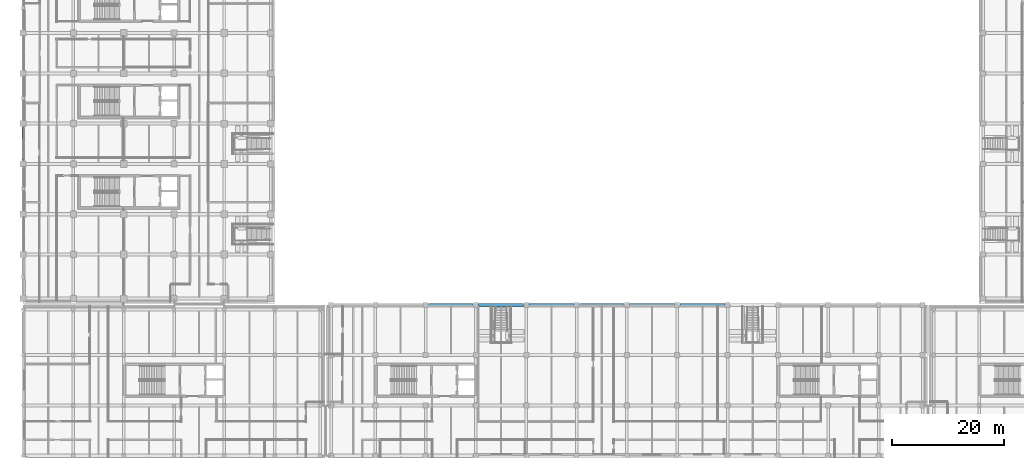
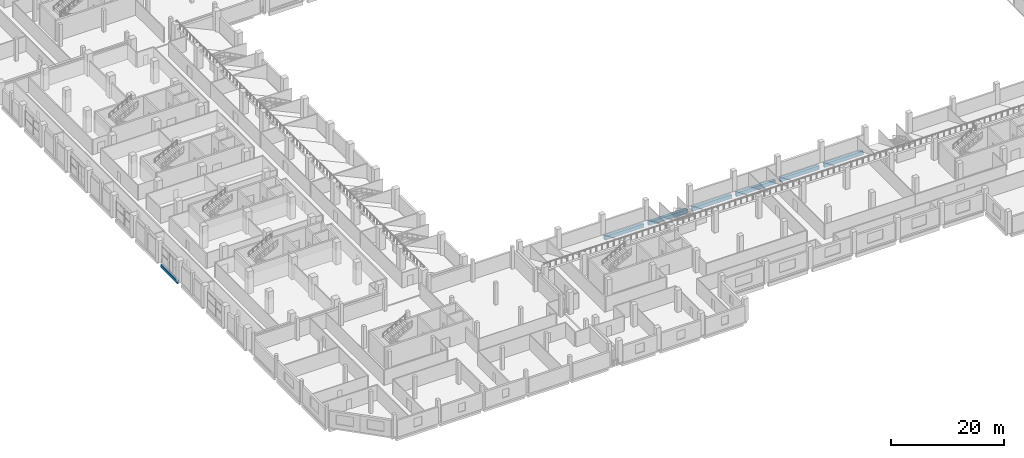
# One storey, part 11 of 100: 7 beams.
"""IFC4 building model written with IfcOpenShell, lengths in metres."""

from ifc_helpers import new_model, si_unit, direction, frame, origin, origin_2d, place, context, subcontext, project, spatial, rectangle, extrude, material, material_profile, profile_set, type_object, element, save


model = new_model("IFC4")

# Units and contexts
model_context = context("Model", 3, precision=1e-05, world=origin(), true_north=direction((0.0, 1.0)))
body_context = subcontext(model_context, "Body", "Model", "MODEL_VIEW")
ifc_project = project(units=[si_unit("LENGTHUNIT", "METRE"), si_unit("AREAUNIT", "SQUARE_METRE"), si_unit("VOLUMEUNIT", "CUBIC_METRE"), si_unit("PLANEANGLEUNIT", "RADIAN"), si_unit("MASSUNIT", "GRAM", prefix="KILO"), si_unit("THERMODYNAMICTEMPERATUREUNIT", "KELVIN"), si_unit("POWERUNIT", "WATT")], contexts=[model_context])

# Site, building, storey
site_placement = place(None, origin())
site = spatial("IfcSite", under=ifc_project, at=site_placement, CompositionType="ELEMENT")
building_placement = place(site_placement, origin())
building = spatial("IfcBuilding", under=site, at=building_placement, Name="Sindhuravela Promenade Stadium", CompositionType="ELEMENT")
storey_placement = place(building_placement, frame((0.0, 0.0, 4.800048828125)))
storey = spatial("IfcBuildingStorey", under=building, at=storey_placement, Name="L01", CompositionType="ELEMENT", Elevation=4.800048828125)

# Beams
ifc_material = material(Name="Concrete M40", Category="concrete")
ifc_material_profile_1 = material_profile(ifc_material, rectangle(XDim=0.39990234375, YDim=0.64990234375, at=origin_2d()), Name="RC 400x650")
ifc_profile_set_1 = profile_set([ifc_material_profile_1], Name="Concrete M40")
beam_type_1 = type_object("IfcBeamType", Name="RC-BM-400x650", PredefinedType="SPANDREL", material=ifc_profile_set_1)
beam_placement = place(storey_placement, frame((0.0, 61.840087890625, -0.625), z_axis=(0.0, 1.0, 0.0), x_axis=(-1.0, 0.0, 0.0)))
element("IfcBeam", 1, at=beam_placement, inside=storey, type_object=beam_type_1, Name="Primary beam SP01 WEST L01", PredefinedType="SPANDREL", context=body_context, shape_type="SweptSolid", body=[
    extrude(rectangle(XDim=0.39990234375, YDim=0.64990234375, at=origin_2d()), origin(), (0.0, 0.0, 1.0), 5.919921875),
])
ifc_material_profile_2 = material_profile(ifc_material, rectangle(XDim=0.550048828125, YDim=0.800048828125, at=origin_2d()), Name="RC 550x800")
ifc_profile_set_2 = profile_set([ifc_material_profile_2], Name="Concrete M40")
beam_type_2 = type_object("IfcBeamType", Name="RC-BM-550x800", PredefinedType="BEAM", material=ifc_profile_set_2)
for number, where, z_axis, x_axis, name in (
    (2, (72.489990234375, 36.0, -0.699951171875), (1.0, 0.0, 0.0), (0.0, 1.0, 0.0), "Primary girder GB05 SOUTH L01"),
    (3, (81.489990234375, 36.0, -0.699951171875), (1.0, 0.0, 0.0), (0.0, 1.0, 0.0), "Primary girder GB05 SOUTH L01"),
    (4, (90.489990234375, 36.0, -0.699951171875), (1.0, 0.0, 0.0), (0.0, 1.0, 0.0), "Primary girder GB05 SOUTH L01"),
    (5, (99.489990234375, 36.0, -0.699951171875), (1.0, 0.0, 0.0), (0.0, 1.0, 0.0), "Primary girder GB05 SOUTH L01"),
    (6, (108.489990234375, 36.0, -0.699951171875), (1.0, 0.0, 0.0), (0.0, 1.0, 0.0), "Primary girder GB05 SOUTH L01"),
    (7, (117.489990234375, 36.0, -0.699951171875), (1.0, 0.0, 0.0), (0.0, 1.0, 0.0), "Primary girder GB05 SOUTH L01"),
):
    element("IfcBeam", number, at=place(storey_placement, frame(where, z_axis=z_axis, x_axis=x_axis)), inside=storey, type_object=beam_type_2, Name=name, PredefinedType="BEAM", context=body_context, shape_type="SweptSolid", body=[
        extrude(rectangle(XDim=0.550048828125, YDim=0.800048828125, at=origin_2d()), origin(), (0.0, 0.0, 1.0), 8.02001953125),
    ])

save(model, "model.ifc")
